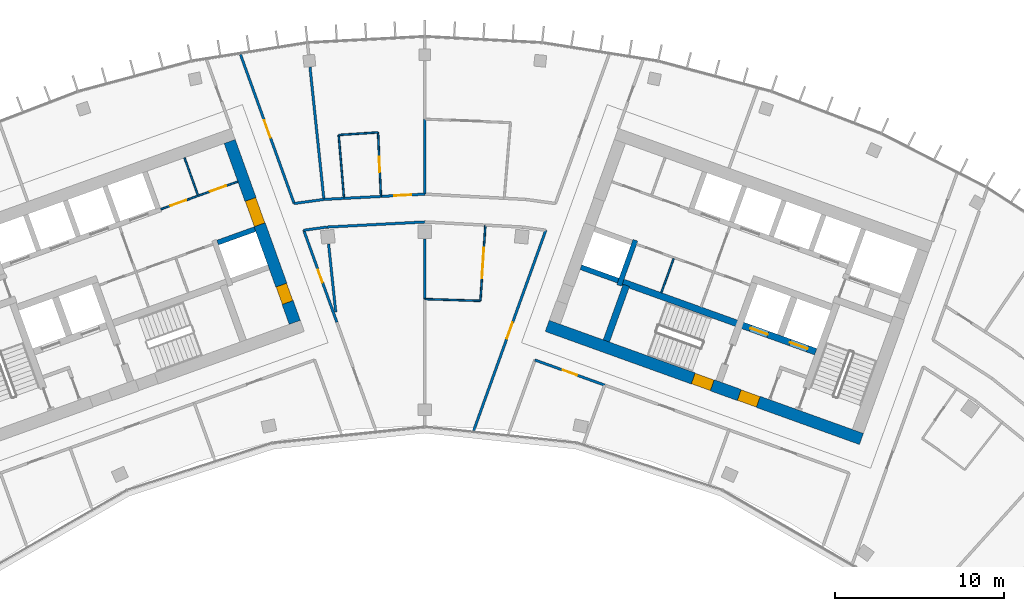
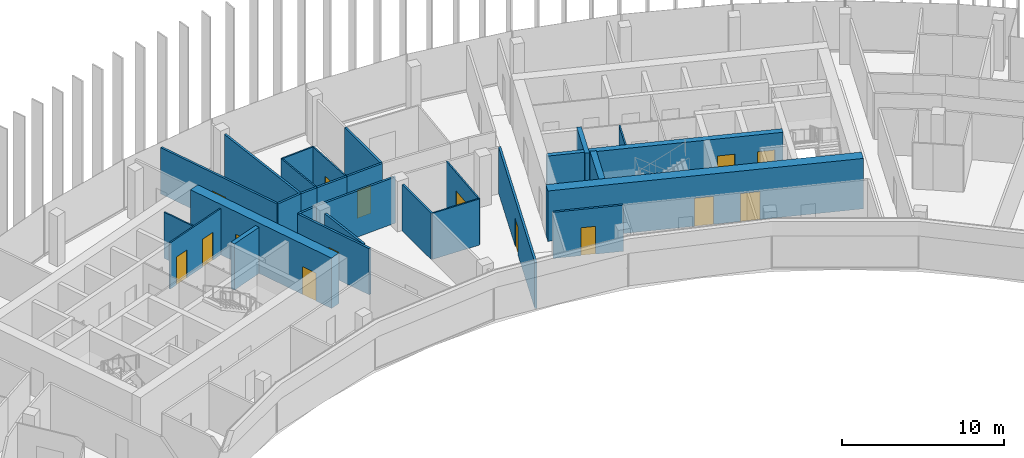
# One storey, part 15 of 19: 29 walls, 15 doors, 15 openings.
"""IFC4 building model written with IfcOpenShell, lengths in metres."""

from ifc_helpers import new_model, si_unit, direction, frame, frame_2d, origin, place, context, subcontext, project, spatial, rectangle, extrude, material, layer, layer_set, type_object, element, fill, save


model = new_model("IFC4")

# Units and contexts
model_context = context("Model", 3, precision=1e-05, world=origin(), true_north=direction((0.0, 1.0)))
body_context = subcontext(model_context, "Body", "Model", "MODEL_VIEW")
ifc_project = project(units=[si_unit("LENGTHUNIT", "METRE"), si_unit("AREAUNIT", "SQUARE_METRE"), si_unit("VOLUMEUNIT", "CUBIC_METRE"), si_unit("PLANEANGLEUNIT", "RADIAN"), si_unit("MASSUNIT", "GRAM", prefix="KILO")], contexts=[model_context])

# Site, building, storey
site_placement = place(None, origin())
site = spatial("IfcSite", under=ifc_project, at=site_placement, CompositionType="ELEMENT")
building_placement = place(site_placement, origin())
building = spatial("IfcBuilding", under=site, at=building_placement, Name="Stone Belt Terrace Tower", CompositionType="ELEMENT")
storey_placement = place(building_placement, frame((0.0, 0.0, 292.199951171875)))
storey = spatial("IfcBuildingStorey", under=building, at=storey_placement, Name="L71", CompositionType="ELEMENT", Elevation=292.199951171875)

# Wall, openings, doors
ifc_material_1 = material(Name="Plasterboard partition")
ifc_layer_1 = layer(ifc_material_1, 0.10009765625)
ifc_layer_set_1 = layer_set([ifc_layer_1], Name="Core partition 100")
wall_type_1 = type_object("IfcWallType", Name="Core partition 100", PredefinedType="PARTITIONING", material=ifc_layer_set_1)
wall_1_placement = place(storey_placement, frame((-15.648681640625, 56.32861328125, 0.0), z_axis=(0.0, 0.0, 1.0), x_axis=(0.940905377977, 0.338669558262, 0.0)))
wall_1 = element("IfcWall", 1, at=wall_1_placement, inside=storey, type_object=wall_type_1, Name="Core A wall", PredefinedType="PARTITIONING", context=body_context, shape_type="SweptSolid", body=[
    extrude(rectangle(XDim=4.85009765625, YDim=0.10009765625, at=frame_2d((2.425048828125, 0.0))), origin(), (0.0, 0.0, 1.0), 3.47998046875),
])
opening_1_placement = place(wall_1_placement, frame((0.60009765625, 0.0, 0.0)))
opening_1 = element("IfcOpeningElement", 2, at=opening_1_placement, cuts=wall_1, Name="Opening L71-C01", PredefinedType="OPENING", context=body_context, shape_type="SweptSolid", body=[
    extrude(rectangle(XDim=1.0, YDim=2.10009765625, at=frame_2d((0.5, 1.050048828125))), frame((0.0, 0.06005859375, 0.0), z_axis=(0.0, -1.0, 0.0), x_axis=(1.0, 0.0, 0.0)), (0.0, 0.0, 1.0), 0.1201171875),
])
opening_2_placement = place(wall_1_placement, frame((3.10009765625, 0.0, 0.0)))
opening_2 = element("IfcOpeningElement", 3, at=opening_2_placement, cuts=wall_1, Name="Opening L71-C02", PredefinedType="OPENING", context=body_context, shape_type="SweptSolid", body=[
    extrude(rectangle(XDim=1.0, YDim=2.10009765625, at=frame_2d((0.5, 1.050048828125))), frame((0.0, 0.06005859375, 0.0), z_axis=(0.0, -1.0, 0.0), x_axis=(1.0, 0.0, 0.0)), (0.0, 0.0, 1.0), 0.1201171875),
])
ifc_material_2 = material(Name="Timber door leaf", Category="wood")
door_type_1 = type_object("IfcDoorType", Name="Core room door 1000", OperationType="SINGLE_SWING_LEFT", PredefinedType="DOOR", material=ifc_material_2)
door_1_placement = place(opening_1_placement, origin())
door_1 = element("IfcDoor", 4, at=door_1_placement, inside=storey, type_object=door_type_1, Name="Door to Server room core A", OperationType="SINGLE_SWING_LEFT", OverallHeight=2.10009765625, OverallWidth=1.0, PredefinedType="DOOR", context=body_context, shape_type="SweptSolid", body=[
    extrude(rectangle(XDim=1.0, YDim=2.10009765625, at=frame_2d((0.5, 1.050048828125))), frame((0.0, 0.02490234375, 0.0), z_axis=(0.0, -1.0, 0.0), x_axis=(1.0, 0.0, 0.0)), (0.0, 0.0, 1.0), 0.050048828125),
])
fill(opening_1, door_1)
door_2_placement = place(opening_2_placement, origin())
door_2 = element("IfcDoor", 5, at=door_2_placement, inside=storey, type_object=door_type_1, Name="Door to Plant room core A", OperationType="SINGLE_SWING_RIGHT", OverallHeight=2.10009765625, OverallWidth=1.0, PredefinedType="DOOR", context=body_context, shape_type="SweptSolid", body=[
    extrude(rectangle(XDim=1.0, YDim=2.10009765625, at=frame_2d((0.5, 1.050048828125))), frame((0.0, 0.02490234375, 0.0), z_axis=(0.0, -1.0, 0.0), x_axis=(1.0, 0.0, 0.0)), (0.0, 0.0, 1.0), 0.050048828125),
])
fill(opening_2, door_2)

# Walls
wall_2_placement = place(storey_placement, frame((-13.45458984375, 57.171630859375, 0.0), z_axis=(0.0, 0.0, 1.0), x_axis=(-0.338579668317, 0.940937728121, 0.0)))
element("IfcWall", 6, at=wall_2_placement, inside=storey, type_object=wall_type_1, Name="Core A wall", PredefinedType="PARTITIONING", context=body_context, shape_type="SweptSolid", body=[
    extrude(rectangle(XDim=2.35009765625, YDim=0.10009765625, at=frame_2d((1.175048828125, 0.0))), origin(), (0.0, 0.0, 1.0), 3.47998046875),
])
wall_3_placement = place(storey_placement, frame((14.029052734375, 51.38525390625, 0.0), z_axis=(0.0, 0.0, 1.0), x_axis=(0.338622960269, 0.940922149159, 0.0)))
element("IfcWall", 7, at=wall_3_placement, inside=storey, type_object=wall_type_1, Name="Core B wall", PredefinedType="PARTITIONING", context=body_context, shape_type="SweptSolid", body=[
    extrude(rectangle(XDim=2.14990234375, YDim=0.10009765625, at=frame_2d((1.074951171875, 0.0))), origin(), (0.0, 0.0, 1.0), 3.47998046875),
])

# Wall, openings, doors
ifc_material_3 = material(Name="Concrete B60", Category="concrete")
ifc_layer_2 = layer(ifc_material_3, 0.699951171875)
ifc_layer_set_2 = layer_set([ifc_layer_2], Name="Core wall 700 B60")
wall_type_2 = type_object("IfcWallType", Name="Core wall 700 B60", PredefinedType="SHEAR", material=ifc_layer_set_2)
wall_4_placement = place(storey_placement, frame((-7.70849609375, 49.621337890625, 0.0), z_axis=(0.0, 0.0, 1.0), x_axis=(-0.338606471282, 0.940928083121, 0.0)))
wall_4 = element("IfcWall", 8, at=wall_4_placement, inside=storey, type_object=wall_type_2, Name="Core A wall end_b L71", PredefinedType="SHEAR", context=body_context, shape_type="SweptSolid", body=[
    extrude(rectangle(XDim=11.39990234375, YDim=0.699951171875, at=frame_2d((5.699951171875, 0.0))), origin(), (0.0, 0.0, 1.0), 3.800048828125),
])
opening_3_placement = place(wall_4_placement, frame((6.14990234375, 0.0, 0.0)))
opening_3 = element("IfcOpeningElement", 9, at=opening_3_placement, cuts=wall_4, Name="Opening L71-C09", PredefinedType="OPENING", context=body_context, shape_type="SweptSolid", body=[
    extrude(rectangle(XDim=1.60009765625, YDim=2.10009765625, at=frame_2d((0.800048828125, 1.050048828125))), frame((0.0, 0.35986328125, 0.0), z_axis=(0.0, -1.0, 0.0), x_axis=(1.0, 0.0, 0.0)), (0.0, 0.0, 1.0), 0.719970703125),
])
opening_4_placement = place(wall_4_placement, frame((1.25, 0.0, 0.0)))
opening_4 = element("IfcOpeningElement", 10, at=opening_4_placement, cuts=wall_4, Name="Opening L71-C15", PredefinedType="OPENING", context=body_context, shape_type="SweptSolid", body=[
    extrude(rectangle(XDim=1.10009765625, YDim=2.10009765625, at=frame_2d((0.550048828125, 1.050048828125))), frame((0.0, 0.35986328125, 0.0), z_axis=(0.0, -1.0, 0.0), x_axis=(1.0, 0.0, 0.0)), (0.0, 0.0, 1.0), 0.719970703125),
])
door_type_2 = type_object("IfcDoorType", Name="Core room door 1100", OperationType="SINGLE_SWING_LEFT", PredefinedType="DOOR", material=ifc_material_2)
door_3_placement = place(opening_4_placement, origin())
door_3 = element("IfcDoor", 11, at=door_3_placement, inside=storey, type_object=door_type_2, Name="Door to Electrical riser room core A", OperationType="SINGLE_SWING_LEFT", OverallHeight=2.10009765625, OverallWidth=1.10009765625, PredefinedType="DOOR", context=body_context, shape_type="SweptSolid", body=[
    extrude(rectangle(XDim=1.10009765625, YDim=2.10009765625, at=frame_2d((0.550048828125, 1.050048828125))), frame((0.0, 0.330078125, 0.0), z_axis=(0.0, -1.0, 0.0), x_axis=(1.0, 0.0, 0.0)), (0.0, 0.0, 1.0), 0.659912109375),
])
fill(opening_4, door_3)
ifc_material_4 = material(Name="Glazed aluminium door leaf", Category="aluminium")
door_type_3 = type_object("IfcDoorType", Name="Lift lobby entrance door 1600", OperationType="DOUBLE_DOOR_SINGLE_SWING", PredefinedType="DOOR", material=ifc_material_4)
door_4_placement = place(opening_3_placement, origin())
door_4 = element("IfcDoor", 12, at=door_4_placement, inside=storey, type_object=door_type_3, Name="Lift lobby entrance door core A", OperationType="DOUBLE_DOOR_SINGLE_SWING", OverallHeight=2.10009765625, OverallWidth=1.60009765625, PredefinedType="DOOR", context=body_context, shape_type="SweptSolid", body=[
    extrude(rectangle(XDim=1.60009765625, YDim=2.10009765625, at=frame_2d((0.800048828125, 1.050048828125))), frame((0.0, 0.330078125, 0.0), z_axis=(0.0, -1.0, 0.0), x_axis=(1.0, 0.0, 0.0)), (0.0, 0.0, 1.0), 0.659912109375),
])
fill(opening_3, door_4)

wall_5_placement = place(storey_placement, frame((7.260498046875, 49.410400390625, 0.0), z_axis=(0.0, 0.0, 1.0), x_axis=(0.940925130461, -0.338614676094, 0.0)))
wall_5 = element("IfcWall", 13, at=wall_5_placement, inside=storey, type_object=wall_type_2, Name="Core B wall concave L71", PredefinedType="SHEAR", context=body_context, shape_type="SweptSolid", body=[
    extrude(rectangle(XDim=19.800048828125, YDim=0.699951171875, at=frame_2d((9.89990234375, 0.0))), origin(), (0.0, 0.0, 1.0), 3.800048828125),
])
opening_5_placement = place(wall_5_placement, frame((12.10009765625, 0.0, 0.0)))
opening_5 = element("IfcOpeningElement", 14, at=opening_5_placement, cuts=wall_5, Name="Opening L71-C27", PredefinedType="OPENING", context=body_context, shape_type="SweptSolid", body=[
    extrude(rectangle(XDim=1.199951171875, YDim=2.10009765625, at=frame_2d((0.60009765625, 1.050048828125))), frame((0.0, 0.35986328125, 0.0), z_axis=(0.0, -1.0, 0.0), x_axis=(1.0, 0.0, 0.0)), (0.0, 0.0, 1.0), 0.719970703125),
])
opening_6_placement = place(wall_5_placement, frame((9.2001953125, 0.0, 0.0)))
opening_6 = element("IfcOpeningElement", 15, at=opening_6_placement, cuts=wall_5, Name="Opening L71-C29", PredefinedType="OPENING", context=body_context, shape_type="SweptSolid", body=[
    extrude(rectangle(XDim=1.199951171875, YDim=2.10009765625, at=frame_2d((0.60009765625, 1.050048828125))), frame((0.0, 0.35986328125, 0.0), z_axis=(0.0, -1.0, 0.0), x_axis=(1.0, 0.0, 0.0)), (0.0, 0.0, 1.0), 0.719970703125),
])
ifc_material_5 = material(Name="Steel door leaf", Category="steel")
door_type_4 = type_object("IfcDoorType", Name="Fire-fighting lobby door 1200", OperationType="SINGLE_SWING_LEFT", PredefinedType="DOOR", material=ifc_material_5)
door_5_placement = place(opening_5_placement, origin())
door_5 = element("IfcDoor", 16, at=door_5_placement, inside=storey, type_object=door_type_4, Name="Fire-fighting lobby door core B", OperationType="SINGLE_SWING_RIGHT", OverallHeight=2.10009765625, OverallWidth=1.199951171875, PredefinedType="DOOR", context=body_context, shape_type="SweptSolid", body=[
    extrude(rectangle(XDim=1.199951171875, YDim=2.10009765625, at=frame_2d((0.60009765625, 1.050048828125))), frame((0.0, 0.330078125, 0.0), z_axis=(0.0, -1.0, 0.0), x_axis=(1.0, 0.0, 0.0)), (0.0, 0.0, 1.0), 0.659912109375),
])
fill(opening_5, door_5)
door_type_5 = type_object("IfcDoorType", Name="Stair door 1200", OperationType="SINGLE_SWING_LEFT", PredefinedType="DOOR", material=ifc_material_5)
door_6_placement = place(opening_6_placement, origin())
door_6 = element("IfcDoor", 17, at=door_6_placement, inside=storey, type_object=door_type_5, Name="Stair 2 exit door core B", OperationType="SINGLE_SWING_LEFT", OverallHeight=2.10009765625, OverallWidth=1.199951171875, PredefinedType="DOOR", context=body_context, shape_type="SweptSolid", body=[
    extrude(rectangle(XDim=1.199951171875, YDim=2.10009765625, at=frame_2d((0.60009765625, 1.050048828125))), frame((0.0, 0.330078125, 0.0), z_axis=(0.0, -1.0, 0.0), x_axis=(1.0, 0.0, 0.0)), (0.0, 0.0, 1.0), 0.659912109375),
])
fill(opening_6, door_6)

# Walls
ifc_material_6 = material(Name="Concrete B80", Category="concrete")
ifc_layer_3 = layer(ifc_material_6, 0.300048828125)
ifc_layer_set_3 = layer_set([ifc_layer_3], Name="Lift shaft wall 300")
wall_type_3 = type_object("IfcWallType", Name="Lift shaft wall 300", PredefinedType="SHEAR", material=ifc_layer_set_3)
wall_6_placement = place(storey_placement, frame((-12.280517578125, 54.3525390625, 0.0), z_axis=(0.0, 0.0, 1.0), x_axis=(0.940925816745, 0.338612769078, 0.0)))
element("IfcWall", 18, at=wall_6_placement, inside=storey, type_object=wall_type_3, Name="Core A wall", PredefinedType="SHEAR", context=body_context, shape_type="SweptSolid", body=[
    extrude(rectangle(XDim=2.349853515625, YDim=0.300048828125, at=frame_2d((1.1748046875, 0.0))), origin(), (0.0, 0.0, 1.0), 3.47998046875),
])
wall_7_placement = place(storey_placement, frame((11.5244140625, 51.808349609375, 0.0), z_axis=(0.0, 0.0, 1.0), x_axis=(0.338625431531, 0.940921259788, 0.0)))
element("IfcWall", 19, at=wall_7_placement, inside=storey, type_object=wall_type_3, Name="Core B wall", PredefinedType="SHEAR", context=body_context, shape_type="SweptSolid", body=[
    extrude(rectangle(XDim=2.85009765625, YDim=0.300048828125, at=frame_2d((1.425048828125, 0.0))), origin(), (0.0, 0.0, 1.0), 3.47998046875),
])
wall_8_placement = place(storey_placement, frame((11.468017578125, 52.09423828125, 0.0), z_axis=(0.0, 0.0, 1.0), x_axis=(-0.940904627055, 0.338671644496, 0.0)))
element("IfcWall", 20, at=wall_8_placement, inside=storey, type_object=wall_type_3, Name="Core B wall", PredefinedType="SHEAR", context=body_context, shape_type="SweptSolid", body=[
    extrude(rectangle(XDim=2.35009765625, YDim=0.300048828125, at=frame_2d((1.175048828125, 0.0))), origin(), (0.0, 0.0, 1.0), 3.47998046875),
])
ifc_material_7 = material(Name="Gypsum board partition")
ifc_layer_4 = layer(ifc_material_7, 0.10009765625)
ifc_layer_set_4 = layer_set([ifc_layer_4], Name="PARTITION 100")
wall_type_4 = type_object("IfcWallType", Name="PARTITION 100", PredefinedType="PARTITIONING", material=ifc_layer_set_4)
wall_9_placement = place(storey_placement, frame((0.0, 51.0029296875, 0.0), z_axis=(0.0, 0.0, 1.0), x_axis=(0.999475725227, -0.032377070309, 0.0)))
element("IfcWall", 21, at=wall_9_placement, inside=storey, type_object=wall_type_4, Name="L71/wall/i095", PredefinedType="PARTITIONING", context=body_context, shape_type="SweptSolid", body=[
    extrude(rectangle(XDim=3.302734375, YDim=0.10009765625, at=frame_2d((1.6513671875, 0.0))), origin(), (0.0, 0.0, 1.0), 3.47998046875),
])

# Wall, opening, door
wall_10_placement = place(storey_placement, frame((3.301025390625, 50.89599609375, 0.0), z_axis=(0.0, 0.0, 1.0), x_axis=(0.064880677516, 0.99789302918, 0.0)))
wall_10 = element("IfcWall", 22, at=wall_10_placement, inside=storey, type_object=wall_type_4, Name="L71/wall/i096", PredefinedType="PARTITIONING", context=body_context, shape_type="SweptSolid", body=[
    extrude(rectangle(XDim=4.50048828125, YDim=0.10009765625, at=frame_2d((2.250244140625, 0.0))), origin(), (0.0, 0.0, 1.0), 3.47998046875),
])
opening_7_placement = place(wall_10_placement, frame((1.350341796875, 0.0, 0.0)))
opening_7 = element("IfcOpeningElement", 23, at=opening_7_placement, cuts=wall_10, Name="Opening D-E4-27", PredefinedType="OPENING", context=body_context, shape_type="SweptSolid", body=[
    extrude(rectangle(XDim=1.800048828125, YDim=2.10009765625, at=frame_2d((0.89990234375, 1.050048828125))), frame((0.0, 0.06005859375, 0.0), z_axis=(0.0, -1.0, 0.0), x_axis=(1.0, 0.0, 0.0)), (0.0, 0.0, 1.0), 0.1201171875),
])
door_type_6 = type_object("IfcDoorType", Name="DOUBLE DOOR 1800 X 2100", OperationType="DOUBLE_DOOR_SINGLE_SWING", PredefinedType="DOOR", material=ifc_material_2)
door_7_placement = place(opening_7_placement, origin())
door_7 = element("IfcDoor", 24, at=door_7_placement, inside=storey, type_object=door_type_6, Name="L71/door/i27", OperationType="DOUBLE_DOOR_SINGLE_SWING", OverallHeight=2.10009765625, OverallWidth=1.800048828125, PredefinedType="DOOR", context=body_context, shape_type="SweptSolid", body=[
    extrude(rectangle(XDim=1.800048828125, YDim=2.10009765625, at=frame_2d((0.89990234375, 1.050048828125))), frame((0.0, 0.02490234375, 0.0), z_axis=(0.0, -1.0, 0.0), x_axis=(1.0, 0.0, 0.0)), (0.0, 0.0, 1.0), 0.050048828125),
])
fill(opening_7, door_7)

wall_11_placement = place(storey_placement, frame((-2.59912109375, 57.089111328125, 0.0), z_axis=(0.0, 0.0, 1.0), x_axis=(-0.04550094707, 0.998964295566, 0.0)))
wall_11 = element("IfcWall", 25, at=wall_11_placement, inside=storey, type_object=wall_type_4, Name="L71/wall/i099", PredefinedType="PARTITIONING", context=body_context, shape_type="SweptSolid", body=[
    extrude(rectangle(XDim=3.798828125, YDim=0.10009765625, at=frame_2d((1.8994140625, 0.0))), origin(), (0.0, 0.0, 1.0), 3.47998046875),
])
opening_8_placement = place(wall_11_placement, frame((1.449462890625, 0.0, 0.0)))
opening_8 = element("IfcOpeningElement", 26, at=opening_8_placement, cuts=wall_11, Name="Opening D-E4-30", PredefinedType="OPENING", context=body_context, shape_type="SweptSolid", body=[
    extrude(rectangle(XDim=0.89990234375, YDim=2.10009765625, at=frame_2d((0.449951171875, 1.050048828125))), frame((0.0, 0.06005859375, 0.0), z_axis=(0.0, -1.0, 0.0), x_axis=(1.0, 0.0, 0.0)), (0.0, 0.0, 1.0), 0.1201171875),
])
door_type_7 = type_object("IfcDoorType", Name="OFFICE DOOR 900 X 2100", OperationType="NOTDEFINED", PredefinedType="DOOR", material=ifc_material_2)
door_8_placement = place(opening_8_placement, origin())
door_8 = element("IfcDoor", 27, at=door_8_placement, inside=storey, type_object=door_type_7, Name="L71/door/i30", OperationType="SINGLE_SWING_RIGHT", OverallHeight=2.10009765625, OverallWidth=0.89990234375, PredefinedType="DOOR", context=body_context, shape_type="SweptSolid", body=[
    extrude(rectangle(XDim=0.89990234375, YDim=2.10009765625, at=frame_2d((0.449951171875, 1.050048828125))), frame((0.0, 0.02490234375, 0.0), z_axis=(0.0, -1.0, 0.0), x_axis=(1.0, 0.0, 0.0)), (0.0, 0.0, 1.0), 0.050048828125),
])
fill(opening_8, door_8)

# Walls
wall_12_placement = place(storey_placement, frame((-2.77197265625, 60.884033203125, 0.0), z_axis=(0.0, 0.0, 1.0), x_axis=(-0.99790686398, -0.064667540704, 0.0)))
element("IfcWall", 28, at=wall_12_placement, inside=storey, type_object=wall_type_4, Name="L71/wall/i100", PredefinedType="PARTITIONING", context=body_context, shape_type="SweptSolid", body=[
    extrude(rectangle(XDim=2.3369140625, YDim=0.10009765625, at=frame_2d((1.16845703125, 0.0))), origin(), (0.0, 0.0, 1.0), 3.47998046875),
])
wall_13_placement = place(storey_placement, frame((-5.10400390625, 60.73291015625, 0.0), z_axis=(0.0, 0.0, 1.0), x_axis=(0.083752509933, -0.996486586503, 0.0)))
element("IfcWall", 29, at=wall_13_placement, inside=storey, type_object=wall_type_4, Name="L71/wall/i101", PredefinedType="PARTITIONING", context=body_context, shape_type="SweptSolid", body=[
    extrude(rectangle(XDim=3.77197265625, YDim=0.10009765625, at=frame_2d((1.885986328125, 0.0))), origin(), (0.0, 0.0, 1.0), 3.47998046875),
])

# Wall, opening, door
ifc_layer_5 = layer(ifc_material_7, 0.14990234375)
ifc_layer_set_5 = layer_set([ifc_layer_5], Name="PARTITION 150 EI 60")
wall_type_5 = type_object("IfcWallType", Name="PARTITION 150 EI 60", PredefinedType="PARTITIONING", material=ifc_layer_set_5)
wall_14_placement = place(storey_placement, frame((-7.177978515625, 55.089111328125, 0.0), z_axis=(0.0, 0.0, 1.0), x_axis=(0.338629980572, -0.940919622634, 0.0)))
wall_14 = element("IfcWall", 30, at=wall_14_placement, inside=storey, type_object=wall_type_5, Name="L71/wall/i009", PredefinedType="PARTITIONING", context=body_context, shape_type="SweptSolid", body=[
    extrude(rectangle(XDim=5.796630859375, YDim=0.14990234375, at=frame_2d((2.8984375, 0.0))), origin(), (0.0, 0.0, 1.0), 3.47998046875),
])
opening_9_placement = place(wall_14_placement, frame((2.498291015625, 0.0, 0.0)))
opening_9 = element("IfcOpeningElement", 31, at=opening_9_placement, cuts=wall_14, Name="Opening D-E4-24", PredefinedType="OPENING", context=body_context, shape_type="SweptSolid", body=[
    extrude(rectangle(XDim=0.800048828125, YDim=2.10009765625, at=frame_2d((0.39990234375, 1.050048828125))), frame((0.0, 0.0849609375, 0.0), z_axis=(0.0, -1.0, 0.0), x_axis=(1.0, 0.0, 0.0)), (0.0, 0.0, 1.0), 0.169921875),
])
door_type_8 = type_object("IfcDoorType", Name="STORE DOOR 800 X 2100", OperationType="NOTDEFINED", PredefinedType="DOOR", material=ifc_material_2)
door_9_placement = place(opening_9_placement, origin())
door_9 = element("IfcDoor", 32, at=door_9_placement, inside=storey, type_object=door_type_8, Name="L71/door/i24", OperationType="SINGLE_SWING_LEFT", OverallHeight=2.10009765625, OverallWidth=0.800048828125, PredefinedType="DOOR", context=body_context, shape_type="SweptSolid", body=[
    extrude(rectangle(XDim=0.800048828125, YDim=2.10009765625, at=frame_2d((0.39990234375, 1.050048828125))), frame((0.0, 0.02490234375, 0.0), z_axis=(0.0, -1.0, 0.0), x_axis=(1.0, 0.0, 0.0)), (0.0, 0.0, 1.0), 0.050048828125),
])
fill(opening_9, door_9)

wall_15_placement = place(storey_placement, frame((-10.9267578125, 65.504150390625, 0.0), z_axis=(0.0, 0.0, 1.0), x_axis=(0.338644933311, -0.94091424112, 0.0)))
wall_15 = element("IfcWall", 33, at=wall_15_placement, inside=storey, type_object=wall_type_5, Name="L71/wall/i011", PredefinedType="PARTITIONING", context=body_context, shape_type="SweptSolid", body=[
    extrude(rectangle(XDim=9.395263671875, YDim=0.14990234375, at=frame_2d((4.69775390625, 0.0))), origin(), (0.0, 0.0, 1.0), 3.47998046875),
])
opening_10_placement = place(wall_15_placement, frame((4.147705078125, 0.0, 0.0)))
opening_10 = element("IfcOpeningElement", 34, at=opening_10_placement, cuts=wall_15, Name="Opening D-E4-28", PredefinedType="OPENING", context=body_context, shape_type="SweptSolid", body=[
    extrude(rectangle(XDim=1.10009765625, YDim=2.10009765625, at=frame_2d((0.550048828125, 1.050048828125))), frame((0.0, 0.0849609375, 0.0), z_axis=(0.0, -1.0, 0.0), x_axis=(1.0, 0.0, 0.0)), (0.0, 0.0, 1.0), 0.169921875),
])
ifc_material_8 = material(Name="Steel fire door set", Category="steel")
door_type_9 = type_object("IfcDoorType", Name="SERVICE ROOM DOOR 1100 X 2100", OperationType="NOTDEFINED", PredefinedType="DOOR", material=ifc_material_8)
door_10_placement = place(opening_10_placement, origin())
door_10 = element("IfcDoor", 35, at=door_10_placement, inside=storey, type_object=door_type_9, Name="L71/door/i28", OperationType="SINGLE_SWING_LEFT", OverallHeight=2.10009765625, OverallWidth=1.10009765625, PredefinedType="DOOR", context=body_context, shape_type="SweptSolid", body=[
    extrude(rectangle(XDim=1.10009765625, YDim=2.10009765625, at=frame_2d((0.550048828125, 1.050048828125))), frame((0.0, 0.02490234375, 0.0), z_axis=(0.0, -1.0, 0.0), x_axis=(1.0, 0.0, 0.0)), (0.0, 0.0, 1.0), 0.050048828125),
])
fill(opening_10, door_10)

wall_16_placement = place(storey_placement, frame((2.89794921875, 43.1953125, 0.0), z_axis=(0.0, 0.0, 1.0), x_axis=(0.338597725617, 0.940931230328, 0.0)))
wall_16 = element("IfcWall", 36, at=wall_16_placement, inside=storey, type_object=wall_type_5, Name="L71/wall/i020", PredefinedType="PARTITIONING", context=body_context, shape_type="SweptSolid", body=[
    extrude(rectangle(XDim=12.640380859375, YDim=0.14990234375, at=frame_2d((6.3203125, 0.0))), origin(), (0.0, 0.0, 1.0), 3.47998046875),
])
opening_11_placement = place(wall_16_placement, frame((5.820068359375, 0.0, 0.0)))
opening_11 = element("IfcOpeningElement", 37, at=opening_11_placement, cuts=wall_16, Name="Opening D-E4-26", PredefinedType="OPENING", context=body_context, shape_type="SweptSolid", body=[
    extrude(rectangle(XDim=1.0, YDim=2.10009765625, at=frame_2d((0.5, 1.050048828125))), frame((0.0, 0.0849609375, 0.0), z_axis=(0.0, -1.0, 0.0), x_axis=(1.0, 0.0, 0.0)), (0.0, 0.0, 1.0), 0.169921875),
])
ifc_material_9 = material(Name="Timber fire door leaf", Category="wood")
door_type_10 = type_object("IfcDoorType", Name="TENANCY ENTRANCE DOOR 1000 X 2100", OperationType="NOTDEFINED", PredefinedType="DOOR", material=ifc_material_9)
door_11_placement = place(opening_11_placement, origin())
door_11 = element("IfcDoor", 38, at=door_11_placement, inside=storey, type_object=door_type_10, Name="L71/door/i26", OperationType="SINGLE_SWING_LEFT", OverallHeight=2.10009765625, OverallWidth=1.0, PredefinedType="DOOR", context=body_context, shape_type="SweptSolid", body=[
    extrude(rectangle(XDim=1.0, YDim=2.10009765625, at=frame_2d((0.5, 1.050048828125))), frame((0.0, 0.02490234375, 0.0), z_axis=(0.0, -1.0, 0.0), x_axis=(1.0, 0.0, 0.0)), (0.0, 0.0, 1.0), 0.050048828125),
])
fill(opening_11, door_11)

wall_17_placement = place(storey_placement, frame((10.672119140625, 45.89892578125, 0.0), z_axis=(0.0, 0.0, 1.0), x_axis=(-0.940965921444, 0.338501306765, 0.0)))
wall_17 = element("IfcWall", 39, at=wall_17_placement, inside=storey, type_object=wall_type_5, Name="L71/wall/i029", PredefinedType="PARTITIONING", context=body_context, shape_type="SweptSolid", body=[
    extrude(rectangle(XDim=4.39892578125, YDim=0.14990234375, at=frame_2d((2.199462890625, 0.0))), origin(), (0.0, 0.0, 1.0), 3.47998046875),
])
opening_12_placement = place(wall_17_placement, frame((1.749267578125, 0.0, 0.0)))
opening_12 = element("IfcOpeningElement", 40, at=opening_12_placement, cuts=wall_17, Name="Opening D-E4-06", PredefinedType="OPENING", context=body_context, shape_type="SweptSolid", body=[
    extrude(rectangle(XDim=0.89990234375, YDim=2.10009765625, at=frame_2d((0.449951171875, 1.050048828125))), frame((0.0, 0.0849609375, 0.0), z_axis=(0.0, -1.0, 0.0), x_axis=(1.0, 0.0, 0.0)), (0.0, 0.0, 1.0), 0.169921875),
])
door_12_placement = place(opening_12_placement, origin())
door_12 = element("IfcDoor", 41, at=door_12_placement, inside=storey, type_object=door_type_7, Name="L71/door/i06", OperationType="SINGLE_SWING_RIGHT", OverallHeight=2.10009765625, OverallWidth=0.89990234375, PredefinedType="DOOR", context=body_context, shape_type="SweptSolid", body=[
    extrude(rectangle(XDim=0.89990234375, YDim=2.10009765625, at=frame_2d((0.449951171875, 1.050048828125))), frame((0.0, 0.02490234375, 0.0), z_axis=(0.0, -1.0, 0.0), x_axis=(1.0, 0.0, 0.0)), (0.0, 0.0, 1.0), 0.050048828125),
])
fill(opening_12, door_12)

# Walls
wall_18_placement = place(storey_placement, frame((-5.80908203125, 55.27099609375, 0.0), z_axis=(0.0, 0.0, 1.0), x_axis=(-0.990675556397, -0.136242217972, 0.0)))
element("IfcWall", 42, at=wall_18_placement, inside=storey, type_object=wall_type_5, Name="L71/wall/i079", PredefinedType="PARTITIONING", context=body_context, shape_type="SweptSolid", body=[
    extrude(rectangle(XDim=1.3798828125, YDim=0.14990234375, at=frame_2d((0.68994140625, 0.0))), origin(), (0.0, 0.0, 1.0), 3.47998046875),
])
wall_19_placement = place(storey_placement, frame((0.0, 55.574951171875, 0.0), z_axis=(0.0, 0.0, 1.0), x_axis=(-0.998633897938, -0.052252635241, 0.0)))
element("IfcWall", 43, at=wall_19_placement, inside=storey, type_object=wall_type_5, Name="L71/wall/i080", PredefinedType="PARTITIONING", context=body_context, shape_type="SweptSolid", body=[
    extrude(rectangle(XDim=5.817138671875, YDim=0.14990234375, at=frame_2d((2.90869140625, 0.0))), origin(), (0.0, 0.0, 1.0), 3.47998046875),
])
wall_20_placement = place(storey_placement, frame((-7.7470703125, 56.669921875, 0.0), z_axis=(0.0, 0.0, 1.0), x_axis=(0.990718093798, 0.135932551735, 0.0)))
element("IfcWall", 44, at=wall_20_placement, inside=storey, type_object=wall_type_5, Name="L71/wall/i084", PredefinedType="PARTITIONING", context=body_context, shape_type="SweptSolid", body=[
    extrude(rectangle(XDim=1.78173828125, YDim=0.14990234375, at=frame_2d((0.890869140625, 0.0))), origin(), (0.0, 0.0, 1.0), 3.47998046875),
])
wall_21_placement = place(storey_placement, frame((-5.98193359375, 56.912109375, 0.0), z_axis=(0.0, 0.0, 1.0), x_axis=(0.998625116195, 0.052420199385, 0.0)))
element("IfcWall", 45, at=wall_21_placement, inside=storey, type_object=wall_type_5, Name="L71/wall/i085", PredefinedType="PARTITIONING", context=body_context, shape_type="SweptSolid", body=[
    extrude(rectangle(XDim=1.20166015625, YDim=0.14990234375, at=frame_2d((0.600830078125, 0.0))), origin(), (0.0, 0.0, 1.0), 3.47998046875),
])

# Wall, opening, door
wall_22_placement = place(storey_placement, frame((-2.60498046875, 57.089111328125, 0.0), z_axis=(0.0, 0.0, 1.0), x_axis=(0.998640231293, 0.052131453499, 0.0)))
wall_22 = element("IfcWall", 46, at=wall_22_placement, inside=storey, type_object=wall_type_5, Name="L71/wall/i086", PredefinedType="PARTITIONING", context=body_context, shape_type="SweptSolid", body=[
    extrude(rectangle(XDim=2.608642578125, YDim=0.14990234375, at=frame_2d((1.30419921875, 0.0))), origin(), (0.0, 0.0, 1.0), 3.47998046875),
])
opening_13_placement = place(wall_22_placement, frame((0.80419921875, 0.0, 0.0)))
opening_13 = element("IfcOpeningElement", 47, at=opening_13_placement, cuts=wall_22, Name="Opening D-E4-29", PredefinedType="OPENING", context=body_context, shape_type="SweptSolid", body=[
    extrude(rectangle(XDim=1.0, YDim=2.10009765625, at=frame_2d((0.5, 1.050048828125))), frame((0.0, 0.0849609375, 0.0), z_axis=(0.0, -1.0, 0.0), x_axis=(1.0, 0.0, 0.0)), (0.0, 0.0, 1.0), 0.169921875),
])
door_13_placement = place(opening_13_placement, origin())
door_13 = element("IfcDoor", 48, at=door_13_placement, inside=storey, type_object=door_type_10, Name="L71/door/i29", OperationType="SINGLE_SWING_RIGHT", OverallHeight=2.10009765625, OverallWidth=1.0, PredefinedType="DOOR", context=body_context, shape_type="SweptSolid", body=[
    extrude(rectangle(XDim=1.0, YDim=2.10009765625, at=frame_2d((0.5, 1.050048828125))), frame((0.0, 0.02490234375, 0.0), z_axis=(0.0, -1.0, 0.0), x_axis=(1.0, 0.0, 0.0)), (0.0, 0.0, 1.0), 0.050048828125),
])
fill(opening_13, door_13)

# Walls
wall_23_placement = place(storey_placement, frame((-4.7939453125, 56.97412109375, 0.0), z_axis=(0.0, 0.0, 1.0), x_axis=(0.998637952178, 0.05217509434, 0.0)))
element("IfcWall", 49, at=wall_23_placement, inside=storey, type_object=wall_type_5, Name="L71/wall/i087", PredefinedType="PARTITIONING", context=body_context, shape_type="SweptSolid", body=[
    extrude(rectangle(XDim=2.203857421875, YDim=0.14990234375, at=frame_2d((1.10205078125, 0.0))), origin(), (0.0, 0.0, 1.0), 3.47998046875),
])
wall_24_placement = place(storey_placement, frame((-5.703857421875, 54.27099609375, 0.0), z_axis=(0.0, 0.0, 1.0), x_axis=(0.104543798856, -0.994520283413, 0.0)))
element("IfcWall", 50, at=wall_24_placement, inside=storey, type_object=wall_type_5, Name="L71/wall/i091", PredefinedType="PARTITIONING", context=body_context, shape_type="SweptSolid", body=[
    extrude(rectangle(XDim=4.056396484375, YDim=0.14990234375, at=frame_2d((2.0283203125, 0.0))), origin(), (0.0, 0.0, 1.0), 3.47998046875),
])
wall_25_placement = place(storey_placement, frame((0.0, 54.570068359375, 0.0), z_axis=(0.0, 0.0, 1.0), x_axis=(0.0, -1.0, 0.0)))
element("IfcWall", 51, at=wall_25_placement, inside=storey, type_object=wall_type_5, Name="L71/wall/i094", PredefinedType="PARTITIONING", context=body_context, shape_type="SweptSolid", body=[
    extrude(rectangle(XDim=3.572998046875, YDim=0.14990234375, at=frame_2d((1.78662109375, 0.0))), origin(), (0.0, 0.0, 1.0), 3.47998046875),
])
wall_26_placement = place(storey_placement, frame((-6.80615234375, 64.752197265625, 0.0), z_axis=(0.0, 0.0, 1.0), x_axis=(0.104552591052, -0.99451935914, 0.0)))
element("IfcWall", 52, at=wall_26_placement, inside=storey, type_object=wall_type_5, Name="L71/wall/i098", PredefinedType="PARTITIONING", context=body_context, shape_type="SweptSolid", body=[
    extrude(rectangle(XDim=7.88330078125, YDim=0.14990234375, at=frame_2d((3.941650390625, 0.0))), origin(), (0.0, 0.0, 1.0), 3.47998046875),
])
wall_27_placement = place(storey_placement, frame((0.0, 61.678955078125, 0.0), z_axis=(0.0, 0.0, 1.0), x_axis=(0.0, -1.0, 0.0)))
element("IfcWall", 53, at=wall_27_placement, inside=storey, type_object=wall_type_5, Name="L71/wall/i104", PredefinedType="PARTITIONING", context=body_context, shape_type="SweptSolid", body=[
    extrude(rectangle(XDim=4.453857421875, YDim=0.14990234375, at=frame_2d((2.22705078125, 0.0))), origin(), (0.0, 0.0, 1.0), 3.47998046875),
])

# Wall, openings, doors
ifc_layer_6 = layer(ifc_material_6, 0.39990234375)
ifc_layer_set_6 = layer_set([ifc_layer_6], Name="Stair enclosure wall 400")
wall_type_6 = type_object("IfcWallType", Name="Stair enclosure wall 400", PredefinedType="SHEAR", material=ifc_layer_set_6)
wall_28_placement = place(storey_placement, frame((23.182373046875, 47.87841796875, 0.0), z_axis=(0.0, 0.0, 1.0), x_axis=(-0.940921731919, 0.338624119641, 0.0)))
wall_28 = element("IfcWall", 54, at=wall_28_placement, inside=storey, type_object=wall_type_6, Name="Core B wall", PredefinedType="SHEAR", context=body_context, shape_type="SweptSolid", body=[
    extrude(rectangle(XDim=12.14990234375, YDim=0.39990234375, at=frame_2d((6.074951171875, 0.0))), origin(), (0.0, 0.0, 1.0), 3.47998046875),
])
opening_14_placement = place(wall_28_placement, frame((0.52001953125, 0.0, 0.0)))
opening_14 = element("IfcOpeningElement", 55, at=opening_14_placement, cuts=wall_28, Name="Opening L71-LD12", PredefinedType="OPENING", context=body_context, shape_type="SweptSolid", body=[
    extrude(rectangle(XDim=1.10009765625, YDim=2.199951171875, at=frame_2d((0.550048828125, 1.10009765625))), frame((0.0, 0.2099609375, 0.0), z_axis=(0.0, -1.0, 0.0), x_axis=(1.0, 0.0, 0.0)), (0.0, 0.0, 1.0), 0.419921875),
])
opening_15_placement = place(wall_28_placement, frame((3.02001953125, 0.0, 0.0)))
opening_15 = element("IfcOpeningElement", 56, at=opening_15_placement, cuts=wall_28, Name="Opening L71-LD13", PredefinedType="OPENING", context=body_context, shape_type="SweptSolid", body=[
    extrude(rectangle(XDim=1.10009765625, YDim=2.199951171875, at=frame_2d((0.550048828125, 1.10009765625))), frame((0.0, 0.2099609375, 0.0), z_axis=(0.0, -1.0, 0.0), x_axis=(1.0, 0.0, 0.0)), (0.0, 0.0, 1.0), 0.419921875),
])
ifc_material_10 = material(Name="Stainless steel door leaf", Category="steel")
door_type_11 = type_object("IfcDoorType", Name="Landing door 1100", OperationType="SLIDING_TO_LEFT", PredefinedType="DOOR", material=ifc_material_10)
door_14_placement = place(opening_14_placement, origin())
door_14 = element("IfcDoor", 57, at=door_14_placement, inside=storey, type_object=door_type_11, Name="Landing door FF1 core B", OperationType="SLIDING_TO_LEFT", OverallHeight=2.199951171875, OverallWidth=1.10009765625, PredefinedType="DOOR", context=body_context, shape_type="SweptSolid", body=[
    extrude(rectangle(XDim=1.10009765625, YDim=2.199951171875, at=frame_2d((0.550048828125, 1.10009765625))), frame((0.0, 0.02490234375, 0.0), z_axis=(0.0, -1.0, 0.0), x_axis=(1.0, 0.0, 0.0)), (0.0, 0.0, 1.0), 0.050048828125),
])
fill(opening_14, door_14)
door_15_placement = place(opening_15_placement, origin())
door_15 = element("IfcDoor", 58, at=door_15_placement, inside=storey, type_object=door_type_11, Name="Landing door FF2 core B", OperationType="SLIDING_TO_LEFT", OverallHeight=2.199951171875, OverallWidth=1.10009765625, PredefinedType="DOOR", context=body_context, shape_type="SweptSolid", body=[
    extrude(rectangle(XDim=1.10009765625, YDim=2.199951171875, at=frame_2d((0.550048828125, 1.10009765625))), frame((0.0, 0.02490234375, 0.0), z_axis=(0.0, -1.0, 0.0), x_axis=(1.0, 0.0, 0.0)), (0.0, 0.0, 1.0), 0.050048828125),
])
fill(opening_15, door_15)

# Wall
wall_29_placement = place(storey_placement, frame((10.766357421875, 48.520751953125, 0.0), z_axis=(0.0, 0.0, 1.0), x_axis=(0.338655246459, 0.940910529246, 0.0)))
element("IfcWall", 59, at=wall_29_placement, inside=storey, type_object=wall_type_6, Name="Core B wall", PredefinedType="SHEAR", context=body_context, shape_type="SweptSolid", body=[
    extrude(rectangle(XDim=3.5, YDim=0.39990234375, at=frame_2d((1.75, 0.0))), origin(), (0.0, 0.0, 1.0), 3.47998046875),
])

save(model, "model.ifc")
